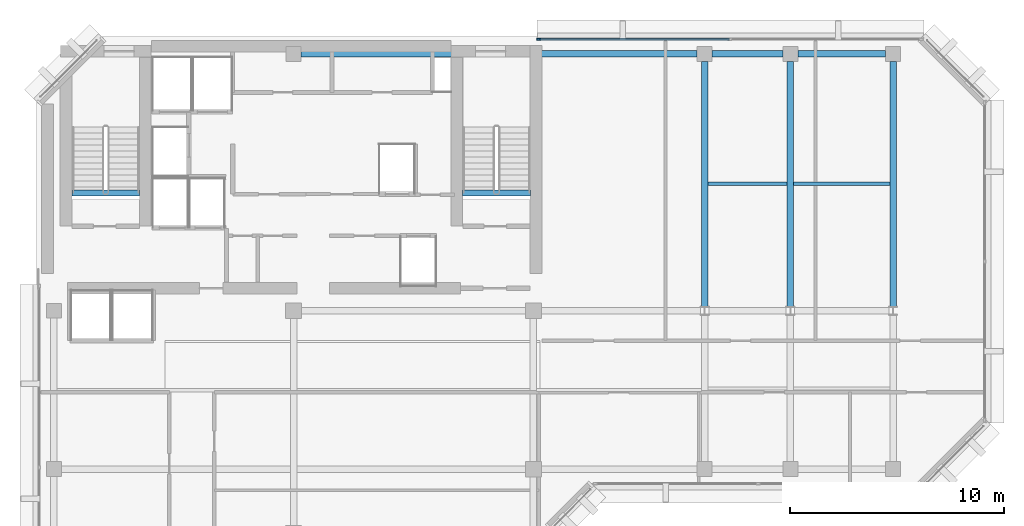
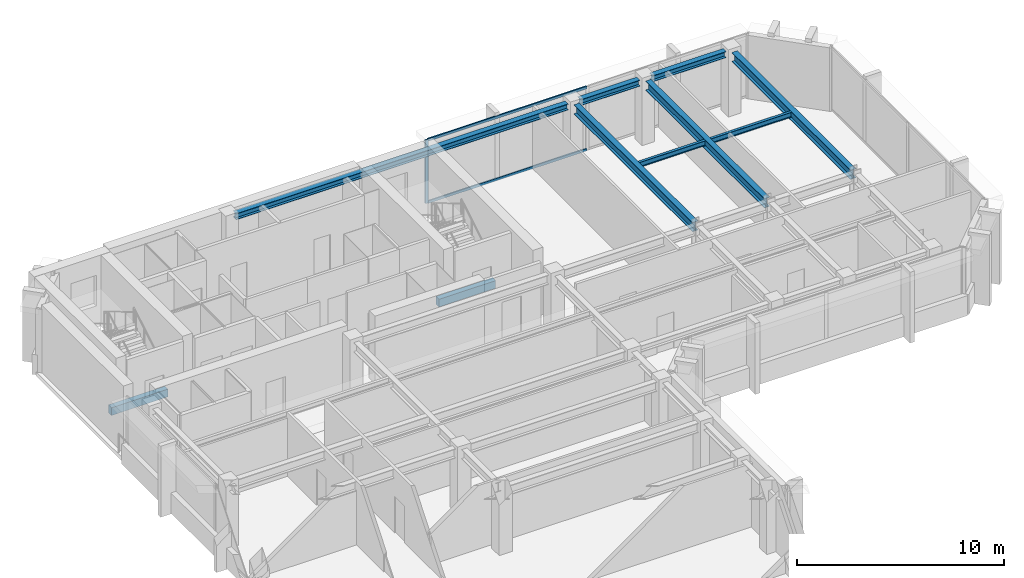
# One storey, part 4 of 11: 10 beams, 3 members, 1 element without a shape of its own.
"""IFC4 building model written with IfcOpenShell, lengths in metres."""

from ifc_helpers import new_model, si_unit, direction, frame, origin, origin_2d, place, context, subcontext, project, spatial, rectangle, i_section, extrude, material, layer, layer_set, material_profile, profile_set, type_object, element, aggregate, save


model = new_model("IFC4")

# Units and contexts
model_context = context("Model", 3, precision=1e-05, world=origin(), true_north=direction((0.0, 1.0)))
body_context = subcontext(model_context, "Body", "Model", "MODEL_VIEW")
ifc_project = project(units=[si_unit("LENGTHUNIT", "METRE"), si_unit("AREAUNIT", "SQUARE_METRE"), si_unit("VOLUMEUNIT", "CUBIC_METRE"), si_unit("PLANEANGLEUNIT", "RADIAN"), si_unit("MASSUNIT", "GRAM", prefix="KILO")], contexts=[model_context])

# Site, building, storey
site_placement = place(None, origin())
site = spatial("IfcSite", under=ifc_project, at=site_placement, CompositionType="ELEMENT")
building_placement = place(site_placement, origin())
building = spatial("IfcBuilding", under=site, at=building_placement, Name="Kefirva Bronze Tower", CompositionType="ELEMENT")
storey_placement = place(building_placement, frame((0.0, 0.0, 292.050048828125)))
storey = spatial("IfcBuildingStorey", under=building, at=storey_placement, Name="L71", CompositionType="ELEMENT", Elevation=292.050048828125)

# Curtain wall, members
ifc_material_1 = material(Name="Bronze anodised aluminium", Category="aluminium")
ifc_layer = layer(ifc_material_1, 0.179931640625, Name="Bronze anodised aluminium")
ifc_layer_set = layer_set([ifc_layer], Name="Bronze anodised aluminium")
curtain_wall_type = type_object("IfcCurtainWallType", Name="Unitised Bronze Ribbon Curtain Wall Zone 4", PredefinedType="USERDEFINED", material=ifc_layer_set)
curtain_wall_placement = place(storey_placement, origin())
curtain_wall = element("IfcCurtainWall", 1, at=curtain_wall_placement, inside=storey, type_object=curtain_wall_type, Name="L71 Curtain Wall 4", ObjectType="UNITISED CURTAIN WALL", PredefinedType="USERDEFINED")
ifc_material_profile_1 = material_profile(ifc_material_1, rectangle(XDim=0.074951171875, YDim=0.179931640625, at=origin_2d()), Name="ALU 75x180")
ifc_profile_set_1 = profile_set([ifc_material_profile_1], Name="Bronze anodised aluminium")
member_type_1 = type_object("IfcMemberType", Name="Bronze Mullion 75x180", PredefinedType="MULLION", material=ifc_profile_set_1)
member_1_placement = place(storey_placement, frame((23.4423828125, 45.8798828125, 0.0), z_axis=(0.0, 0.0, 1.0), x_axis=(0.0, -1.0, 0.0)))
member_1 = element("IfcMember", 2, at=member_1_placement, type_object=member_type_1, Name="CW-04 mullion 3", PredefinedType="MULLION", context=body_context, shape_type="SweptSolid", body=[
    extrude(rectangle(XDim=0.074951171875, YDim=0.179931640625, at=origin_2d()), origin(), (0.0, 0.0, 1.0), 3.739990234375),
])
ifc_material_profile_2 = material_profile(ifc_material_1, rectangle(XDim=0.074951171875, YDim=0.14990234375, at=origin_2d()), Name="ALU 75x150")
ifc_profile_set_2 = profile_set([ifc_material_profile_2], Name="Bronze anodised aluminium")
member_type_2 = type_object("IfcMemberType", Name="Bronze Transom 75x150", PredefinedType="USERDEFINED", material=ifc_profile_set_2)
member_2_placement = place(storey_placement, frame((32.33740234375, 45.8798828125, 0.037353515625), z_axis=(-1.0, 0.0, 0.0), x_axis=(0.0, -1.0, 0.0)))
member_2 = element("IfcMember", 3, at=member_2_placement, type_object=member_type_2, Name="CW-04 transom 2.1", ObjectType="TRANSOM", PredefinedType="USERDEFINED", context=body_context, shape_type="SweptSolid", body=[
    extrude(rectangle(XDim=0.074951171875, YDim=0.14990234375, at=origin_2d()), origin(), (0.0, 0.0, 1.0), 8.857421875),
])
member_3_placement = place(storey_placement, frame((32.33740234375, 45.8798828125, 3.702392578125), z_axis=(-1.0, 0.0, 0.0), x_axis=(0.0, -1.0, 0.0)))
member_3 = element("IfcMember", 4, at=member_3_placement, type_object=member_type_2, Name="CW-04 transom 2.2", ObjectType="TRANSOM", PredefinedType="USERDEFINED", context=body_context, shape_type="SweptSolid", body=[
    extrude(rectangle(XDim=0.074951171875, YDim=0.14990234375, at=origin_2d()), origin(), (0.0, 0.0, 1.0), 8.857421875),
])
aggregate(curtain_wall, [member_1, member_2, member_3])

# Beams
ifc_material_2 = material(Name="Concrete C50/60", Category="concrete")
ifc_material_profile_3 = material_profile(ifc_material_2, rectangle(XDim=0.300048828125, YDim=0.449951171875, at=origin_2d()), Name="RC 300x450")
ifc_profile_set_3 = profile_set([ifc_material_profile_3], Name="Concrete C50/60")
beam_type_1 = type_object("IfcBeamType", Name="RC Stair Trimmer Beam 300x450", PredefinedType="BEAM", material=ifc_profile_set_3)
beam_1_placement = place(storey_placement, frame((1.64501953125, 38.699951171875, -0.22509765625), z_axis=(1.0, 0.0, 0.0), x_axis=(0.0, 1.0, 0.0)))
element("IfcBeam", 5, at=beam_1_placement, inside=storey, type_object=beam_type_1, Name="L71 Stair 1 Landing Trimmer Beam", PredefinedType="BEAM", context=body_context, shape_type="SweptSolid", body=[
    extrude(rectangle(XDim=0.300048828125, YDim=0.449951171875, at=origin_2d()), origin(), (0.0, 0.0, 1.0), 3.14990234375),
])
beam_2_placement = place(storey_placement, frame((19.89501953125, 38.699951171875, -0.22509765625), z_axis=(1.0, 0.0, 0.0), x_axis=(0.0, 1.0, 0.0)))
element("IfcBeam", 6, at=beam_2_placement, inside=storey, type_object=beam_type_1, Name="L71 Stair 2 Landing Trimmer Beam", PredefinedType="BEAM", context=body_context, shape_type="SweptSolid", body=[
    extrude(rectangle(XDim=0.300048828125, YDim=0.449951171875, at=origin_2d()), origin(), (0.0, 0.0, 1.0), 3.159912109375),
])
ifc_material_3 = material(Name="Steel S355", Category="steel")
ifc_material_profile_4 = material_profile(ifc_material_3, i_section(OverallWidth=0.14990234375, OverallDepth=0.300048828125, WebThickness=0.007080078125, FlangeThickness=0.0107421875, at=origin_2d()), Name="IPE 300")
ifc_profile_set_4 = profile_set([ifc_material_profile_4], Name="Steel S355")
beam_type_2 = type_object("IfcBeamType", Name="Steel Floor Joist IPE 300", PredefinedType="JOIST", material=ifc_profile_set_4)
beam_3_placement = place(storey_placement, frame((31.35009765625, 39.12890625, 3.58984375), z_axis=(1.0, 0.0, 0.0), x_axis=(0.0, 1.0, 0.0)))
element("IfcBeam", 7, at=beam_3_placement, inside=storey, type_object=beam_type_2, Name="L71 JST-L71-31-391", PredefinedType="JOIST", context=body_context, shape_type="SweptSolid", body=[
    extrude(i_section(OverallWidth=0.14990234375, OverallDepth=0.300048828125, WebThickness=0.007080078125, FlangeThickness=0.0107421875, at=origin_2d()), origin(), (0.0, 0.0, 1.0), 3.699951171875),
])
beam_4_placement = place(storey_placement, frame((35.35009765625, 39.12890625, 3.58984375), z_axis=(1.0, 0.0, 0.0), x_axis=(0.0, 1.0, 0.0)))
element("IfcBeam", 8, at=beam_4_placement, inside=storey, type_object=beam_type_2, Name="L71 JST-L71-35-391", PredefinedType="JOIST", context=body_context, shape_type="SweptSolid", body=[
    extrude(i_section(OverallWidth=0.14990234375, OverallDepth=0.300048828125, WebThickness=0.007080078125, FlangeThickness=0.0107421875, at=origin_2d()), origin(), (0.0, 0.0, 1.0), 4.5),
])
ifc_material_profile_5 = material_profile(ifc_material_3, i_section(OverallWidth=0.300048828125, OverallDepth=0.550048828125, WebThickness=0.014892578125, FlangeThickness=0.029052734375, at=origin_2d()), Name="HEB 550")
ifc_profile_set_5 = profile_set([ifc_material_profile_5], Name="Steel S355")
beam_type_3 = type_object("IfcBeamType", Name="Steel Girder HEB 550", PredefinedType="USERDEFINED", material=ifc_profile_set_5)
for number, where, z_axis, x_axis, name in (
    (9, (31.199951171875, 33.407958984375, 3.46484375), (0.0, 1.0, 0.0), (-1.0, 0.0, 0.0), "L71 BM-L71-NS-312-33"),
    (10, (35.199951171875, 33.407958984375, 3.46484375), (0.0, 1.0, 0.0), (-1.0, 0.0, 0.0), "L71 BM-L71-NS-352-33"),
    (11, (40.0, 33.407958984375, 3.46484375), (0.0, 1.0, 0.0), (-1.0, 0.0, 0.0), "L71 BM-L71-NS-400-33"),
):
    element("IfcBeam", number, at=place(storey_placement, frame(where, z_axis=z_axis, x_axis=x_axis)), inside=storey, type_object=beam_type_3, Name=name, ObjectType="GIRDER", PredefinedType="USERDEFINED", context=body_context, shape_type="SweptSolid", body=[
        extrude(i_section(OverallWidth=0.300048828125, OverallDepth=0.550048828125, WebThickness=0.014892578125, FlangeThickness=0.029052734375, at=origin_2d()), origin(), (0.0, 0.0, 1.0), 11.442138671875),
    ])
ifc_material_profile_6 = material_profile(ifc_material_3, i_section(OverallWidth=0.300048828125, OverallDepth=0.360107421875, WebThickness=0.012451171875, FlangeThickness=0.0224609375, at=origin_2d()), Name="HEB 360")
ifc_profile_set_6 = profile_set([ifc_material_profile_6], Name="Steel S355")
beam_type_4 = type_object("IfcBeamType", Name="Steel Spandrel HEB 360 Ext", PredefinedType="SPANDREL", material=ifc_profile_set_6)
beam_5_placement = place(storey_placement, frame((12.35009765625, 45.199951171875, 3.56005859375), z_axis=(1.0, 0.0, 0.0), x_axis=(0.0, 1.0, 0.0)))
element("IfcBeam", 12, at=beam_5_placement, inside=storey, type_object=beam_type_4, Name="L71 BM-L71-EW-12-452", PredefinedType="SPANDREL", context=body_context, shape_type="SweptSolid", body=[
    extrude(i_section(OverallWidth=0.300048828125, OverallDepth=0.360107421875, WebThickness=0.012451171875, FlangeThickness=0.0224609375, at=origin_2d()), origin(), (0.0, 0.0, 1.0), 18.5),
])
beam_6_placement = place(storey_placement, frame((31.550048828125, 45.199951171875, 3.56005859375), z_axis=(1.0, 0.0, 0.0), x_axis=(0.0, 1.0, 0.0)))
element("IfcBeam", 13, at=beam_6_placement, inside=storey, type_object=beam_type_4, Name="L71 BM-L71-EW-31-452", PredefinedType="SPANDREL", context=body_context, shape_type="SweptSolid", body=[
    extrude(i_section(OverallWidth=0.300048828125, OverallDepth=0.360107421875, WebThickness=0.012451171875, FlangeThickness=0.0224609375, at=origin_2d()), origin(), (0.0, 0.0, 1.0), 3.300048828125),
])
beam_7_placement = place(storey_placement, frame((35.550048828125, 45.199951171875, 3.56005859375), z_axis=(1.0, 0.0, 0.0), x_axis=(0.0, 1.0, 0.0)))
element("IfcBeam", 14, at=beam_7_placement, inside=storey, type_object=beam_type_4, Name="L71 BM-L71-EW-35-452", PredefinedType="SPANDREL", context=body_context, shape_type="SweptSolid", body=[
    extrude(i_section(OverallWidth=0.300048828125, OverallDepth=0.360107421875, WebThickness=0.012451171875, FlangeThickness=0.0224609375, at=origin_2d()), origin(), (0.0, 0.0, 1.0), 4.099853515625),
])

save(model, "model.ifc")
